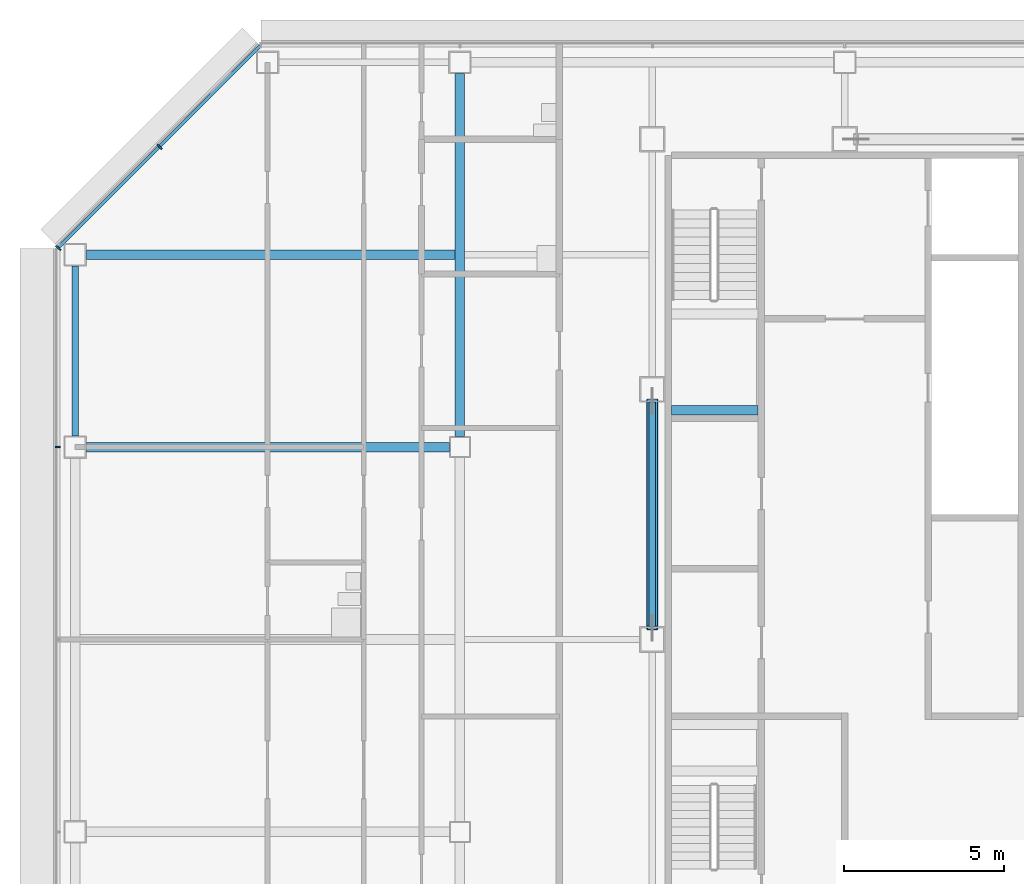
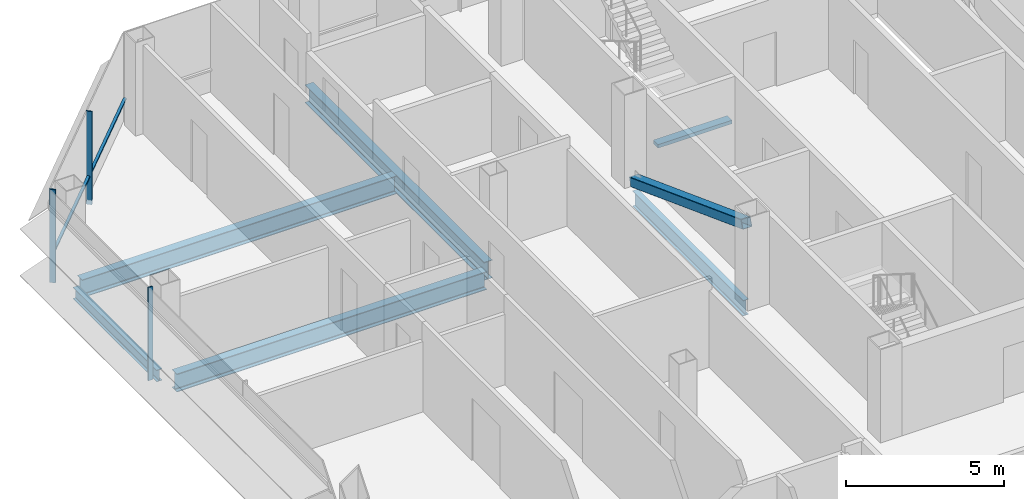
# One storey, part 11 of 27: 6 beams, 5 members, 2 elements without a shape of their own.
"""IFC4 building model written with IfcOpenShell, lengths in metres."""

from ifc_helpers import new_model, si_unit, direction, frame, origin, origin_2d, place, context, subcontext, project, spatial, rectangle, hollow_rectangle, i_section, extrude, material, material_profile, profile_set, type_object, element, aggregate, save


model = new_model("IFC4")

# Units and contexts
model_context = context("Model", 3, precision=1e-05, world=origin(), true_north=direction((0.0, 1.0)))
body_context = subcontext(model_context, "Body", "Model", "MODEL_VIEW")
ifc_project = project(units=[si_unit("LENGTHUNIT", "METRE"), si_unit("AREAUNIT", "SQUARE_METRE"), si_unit("VOLUMEUNIT", "CUBIC_METRE"), si_unit("PLANEANGLEUNIT", "RADIAN"), si_unit("MASSUNIT", "GRAM", prefix="KILO")], contexts=[model_context])

# Site, building, storey
site_placement = place(None, origin())
site = spatial("IfcSite", under=ifc_project, at=site_placement, CompositionType="ELEMENT")
building_placement = place(site_placement, origin())
building = spatial("IfcBuilding", under=site, at=building_placement, Name="Sorahane Residences", CompositionType="ELEMENT")
storey_placement = place(building_placement, frame((0.0, 0.0, 195.60009765625)))
storey = spatial("IfcBuildingStorey", under=building, at=storey_placement, Name="L45", CompositionType="ELEMENT", Elevation=195.60009765625)

# Member
ifc_material_1 = material(Name="Steel Q355B", Category="steel")
ifc_material_profile_1 = material_profile(ifc_material_1, hollow_rectangle(XDim=0.35009765625, YDim=0.35009765625, WallThickness=0.01806640625, InnerFilletRadius=0.009033203125, OuterFilletRadius=0.027099609375, at=origin_2d()), Name="RHS 350x350x18")
ifc_profile_set_1 = profile_set([ifc_material_profile_1], Name="Steel Q355B")
member_type_1 = type_object("IfcMemberType", Name="Core brace RHS 350x350x18 Q355B", PredefinedType="BRACE", material=ifc_profile_set_1)
member_1_placement = place(storey_placement, frame((6.0, 37.436767578125, 0.1611328125), z_axis=(0.0, -0.936550837269, 0.350531780601), x_axis=(1.0, 0.0, 0.0)))
element("IfcMember", 1, at=member_1_placement, inside=storey, type_object=member_type_1, Name="Core brace L45 x6-2", PredefinedType="BRACE", context=body_context, shape_type="SweptSolid", body=[
    extrude(hollow_rectangle(XDim=0.35009765625, YDim=0.35009765625, WallThickness=0.01806640625, InnerFilletRadius=0.009033203125, OuterFilletRadius=0.027099609375, at=origin_2d()), origin(), (0.0, 0.0, 1.0), 7.552734375),
])

# Curtain wall, member
ifc_material_2 = material(Name="Dark low-e glass and black anodised aluminium", Category="aluminium")
curtain_wall_type_1 = type_object("IfcCurtainWallType", Name="Curtain wall CW-1 Typical unitised wall", PredefinedType="NOTDEFINED", material=ifc_material_2)
curtain_wall_1_placement = place(storey_placement, origin())
curtain_wall_1 = element("IfcCurtainWall", 2, at=curtain_wall_1_placement, inside=storey, type_object=curtain_wall_type_1, Name="CW-1 curtain wall L45 W1", PredefinedType="NOTDEFINED")
ifc_material_3 = material(Name="Black anodised aluminium", Category="aluminium")
ifc_material_profile_2 = material_profile(ifc_material_3, rectangle(XDim=0.159912109375, YDim=0.050048828125, at=origin_2d()), Name="Curtain wall mullion CW-1 black anodised aluminium 50x160")
ifc_profile_set_2 = profile_set([ifc_material_profile_2], Name="Black anodised aluminium")
member_type_2 = type_object("IfcMemberType", Name="Curtain wall mullion CW-1 black anodised aluminium 50x160", PredefinedType="MULLION", material=ifc_profile_set_2)
member_2_placement = place(storey_placement, frame((-12.5400390625, 36.0, -0.18017578125), z_axis=(0.0, 0.0, 1.0), x_axis=(-1.0, 0.0, 0.0)))
member_2 = element("IfcMember", 3, at=member_2_placement, type_object=member_type_2, Name="CW-1 mullion L45 W1.2", PredefinedType="MULLION", context=body_context, shape_type="SweptSolid", body=[
    extrude(rectangle(XDim=0.159912109375, YDim=0.050048828125, at=origin_2d()), origin(), (0.0, 0.0, 1.0), 3.60009765625),
])
aggregate(curtain_wall_1, [member_2])

# Curtain wall, members
ifc_material_4 = material(Name="Dark low-e glass and black anodised aluminium", Category="aluminium")
curtain_wall_type_2 = type_object("IfcCurtainWallType", Name="Curtain wall CW-2 Chamfer unitised wall", PredefinedType="NOTDEFINED", material=ifc_material_4)
curtain_wall_2_placement = place(storey_placement, origin())
curtain_wall_2 = element("IfcCurtainWall", 4, at=curtain_wall_2_placement, inside=storey, type_object=curtain_wall_type_2, Name="CW-2 curtain wall L45 NW1", PredefinedType="NOTDEFINED")
ifc_material_5 = material(Name="Black anodised aluminium", Category="aluminium")
ifc_material_profile_3 = material_profile(ifc_material_5, rectangle(XDim=0.199951171875, YDim=0.050048828125, at=origin_2d()), Name="Curtain wall mullion CW-2 black anodised aluminium 50x200")
ifc_profile_set_3 = profile_set([ifc_material_profile_3], Name="Black anodised aluminium")
member_type_3 = type_object("IfcMemberType", Name="Curtain wall mullion CW-2 black anodised aluminium 50x200", PredefinedType="MULLION", material=ifc_profile_set_3)
member_3_placement = place(storey_placement, frame((-9.36767578125, 45.36767578125, -0.18017578125), z_axis=(0.0, 0.0, 1.0), x_axis=(-0.707106781187, 0.707106781187, 0.0)))
member_3 = element("IfcMember", 5, at=member_3_placement, type_object=member_type_3, Name="CW-2 mullion L45 NW1.2", PredefinedType="MULLION", context=body_context, shape_type="SweptSolid", body=[
    extrude(rectangle(XDim=0.199951171875, YDim=0.050048828125, at=origin_2d()), origin(), (0.0, 0.0, 1.0), 3.60009765625),
])
member_4_placement = place(storey_placement, frame((-12.525634765625, 42.209716796875, -0.18017578125), z_axis=(0.0, 0.0, 1.0), x_axis=(-0.707106781187, 0.707106781187, 0.0)))
member_4 = element("IfcMember", 6, at=member_4_placement, type_object=member_type_3, Name="CW-2 mullion L45 NW1.3", PredefinedType="MULLION", context=body_context, shape_type="SweptSolid", body=[
    extrude(rectangle(XDim=0.199951171875, YDim=0.050048828125, at=origin_2d()), origin(), (0.0, 0.0, 1.0), 3.60009765625),
])
ifc_material_6 = material(Name="Black anodised aluminium", Category="aluminium")
ifc_material_profile_4 = material_profile(ifc_material_6, rectangle(XDim=0.10009765625, YDim=0.06005859375, at=origin_2d()), Name="Curtain wall transom CW-2 black anodised aluminium 60x100")
ifc_profile_set_4 = profile_set([ifc_material_profile_4], Name="Black anodised aluminium")
member_type_4 = type_object("IfcMemberType", Name="Curtain wall transom CW-2 black anodised aluminium 60x100", PredefinedType="USERDEFINED", material=ifc_profile_set_4)
member_5_placement = place(storey_placement, frame((-6.234375, 48.51513671875, 0.89990234375), z_axis=(-0.707106781187, -0.707106781187, 0.0), x_axis=(0.707106781187, -0.707106781187, 0.0)))
member_5 = element("IfcMember", 7, at=member_5_placement, type_object=member_type_4, Name="CW-2 transom L45 NW1", ObjectType="TRANSOM", PredefinedType="USERDEFINED", context=body_context, shape_type="SweptSolid", body=[
    extrude(rectangle(XDim=0.10009765625, YDim=0.06005859375, at=origin_2d()), origin(), (0.0, 0.0, 1.0), 8.88232421875),
])
aggregate(curtain_wall_2, [member_3, member_4, member_5])

# Beams
ifc_material_7 = material(Name="Concrete C40", Category="concrete")
ifc_material_profile_5 = material_profile(ifc_material_7, rectangle(XDim=0.300048828125, YDim=0.139892578125, at=origin_2d()), Name="300x140")
ifc_profile_set_5 = profile_set([ifc_material_profile_5], Name="Concrete C40")
beam_type_1 = type_object("IfcBeamType", Name="RC landing beam 300 x 140 Concrete C40", PredefinedType="BEAM", material=ifc_profile_set_5)
beam_1_placement = place(storey_placement, frame((6.60009765625, 37.14990234375, 1.52978515625), z_axis=(1.0, 0.0, 0.0), x_axis=(0.0, 1.0, 0.0)))
element("IfcBeam", 8, at=beam_1_placement, inside=storey, type_object=beam_type_1, Name="Landing beam", PredefinedType="BEAM", context=body_context, shape_type="SweptSolid", body=[
    extrude(rectangle(XDim=0.300048828125, YDim=0.139892578125, at=origin_2d()), origin(), (0.0, 0.0, 1.0), 2.699951171875),
])
ifc_material_8 = material(Name="Steel Q355B", Category="steel")
ifc_material_profile_6 = material_profile(ifc_material_8, i_section(OverallWidth=0.199951171875, OverallDepth=0.449951171875, WebThickness=0.009033203125, FlangeThickness=0.013916015625, FilletRadius=0.02001953125, at=origin_2d()), Name="HN 450x200x9x14")
ifc_profile_set_6 = profile_set([ifc_material_profile_6], Name="Steel Q355B")
beam_type_2 = type_object("IfcBeamType", Name="Steel floor beam HN 450x200x9x14 Q355B", PredefinedType="BEAM", material=ifc_profile_set_6)
beam_2_placement = place(storey_placement, frame((-12.0, 36.35009765625, -0.405029296875), z_axis=(0.0, 1.0, 0.0), x_axis=(-1.0, 0.0, 0.0)))
element("IfcBeam", 9, at=beam_2_placement, inside=storey, type_object=beam_type_2, Name="Beam L45 023", PredefinedType="BEAM", context=body_context, shape_type="SweptSolid", body=[
    extrude(i_section(OverallWidth=0.199951171875, OverallDepth=0.449951171875, WebThickness=0.009033203125, FlangeThickness=0.013916015625, FilletRadius=0.02001953125, at=origin_2d()), origin(), (0.0, 0.0, 1.0), 5.2998046875),
])
ifc_material_9 = material(Name="Steel Q355B", Category="steel")
ifc_material_profile_7 = material_profile(ifc_material_9, i_section(OverallWidth=0.199951171875, OverallDepth=0.60009765625, WebThickness=0.010986328125, FlangeThickness=0.01708984375, FilletRadius=0.02392578125, at=origin_2d()), Name="HN 600x200x11x17")
ifc_profile_set_7 = profile_set([ifc_material_profile_7], Name="Steel Q355B")
beam_type_3 = type_object("IfcBeamType", Name="Steel floor beam HN 600x200x11x17 Q355B", PredefinedType="BEAM", material=ifc_profile_set_7)
beam_3_placement = place(storey_placement, frame((6.0, 30.39990234375, -0.47998046875), z_axis=(0.0, 1.0, 0.0), x_axis=(-1.0, 0.0, 0.0)))
element("IfcBeam", 10, at=beam_3_placement, inside=storey, type_object=beam_type_3, Name="Beam L45 031", PredefinedType="BEAM", context=body_context, shape_type="SweptSolid", body=[
    extrude(i_section(OverallWidth=0.199951171875, OverallDepth=0.60009765625, WebThickness=0.010986328125, FlangeThickness=0.01708984375, FilletRadius=0.02392578125, at=origin_2d()), origin(), (0.0, 0.0, 1.0), 7.0),
])
ifc_material_10 = material(Name="Steel Q355B", Category="steel")
ifc_material_profile_8 = material_profile(ifc_material_10, i_section(OverallWidth=0.300048828125, OverallDepth=0.699951171875, WebThickness=0.012939453125, FlangeThickness=0.02392578125, FilletRadius=0.028076171875, at=origin_2d()), Name="HN 700x300x13x24")
ifc_profile_set_8 = profile_set([ifc_material_profile_8], Name="Steel Q355B")
beam_type_4 = type_object("IfcBeamType", Name="Steel floor beam HN 700x300x13x24 Q355B", PredefinedType="BEAM", material=ifc_profile_set_8)
for number, where, z_axis, x_axis, name in (
    (11, (-11.64990234375, 36.0, -0.530029296875), (1.0, 0.0, 0.0), (0.0, 1.0, 0.0), "Beam L45 013"),
    (12, (0.0, 36.324951171875, -0.530029296875), (0.0, 1.0, 0.0), (-1.0, 0.0, 0.0), "Beam L45 027"),
):
    element("IfcBeam", number, at=place(storey_placement, frame(where, z_axis=z_axis, x_axis=x_axis)), inside=storey, type_object=beam_type_4, Name=name, PredefinedType="BEAM", context=body_context, shape_type="SweptSolid", body=[
        extrude(i_section(OverallWidth=0.300048828125, OverallDepth=0.699951171875, WebThickness=0.012939453125, FlangeThickness=0.02392578125, FilletRadius=0.028076171875, at=origin_2d()), origin(), (0.0, 0.0, 1.0), 11.324951171875),
    ])
beam_4_placement = place(storey_placement, frame((-11.64990234375, 42.0, -0.530029296875), z_axis=(1.0, 0.0, 0.0), x_axis=(0.0, 1.0, 0.0)))
element("IfcBeam", 13, at=beam_4_placement, inside=storey, type_object=beam_type_4, Name="Beam L45 089", PredefinedType="BEAM", context=body_context, shape_type="SweptSolid", body=[
    extrude(i_section(OverallWidth=0.300048828125, OverallDepth=0.699951171875, WebThickness=0.012939453125, FlangeThickness=0.02392578125, FilletRadius=0.028076171875, at=origin_2d()), origin(), (0.0, 0.0, 1.0), 11.5),
])

save(model, "model.ifc")
